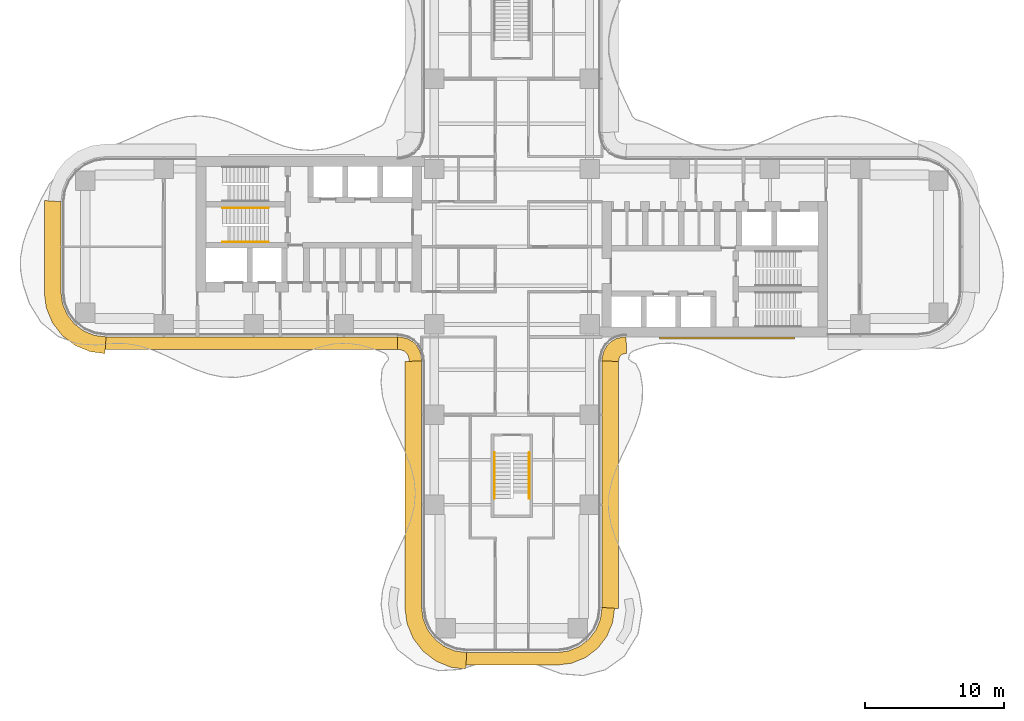
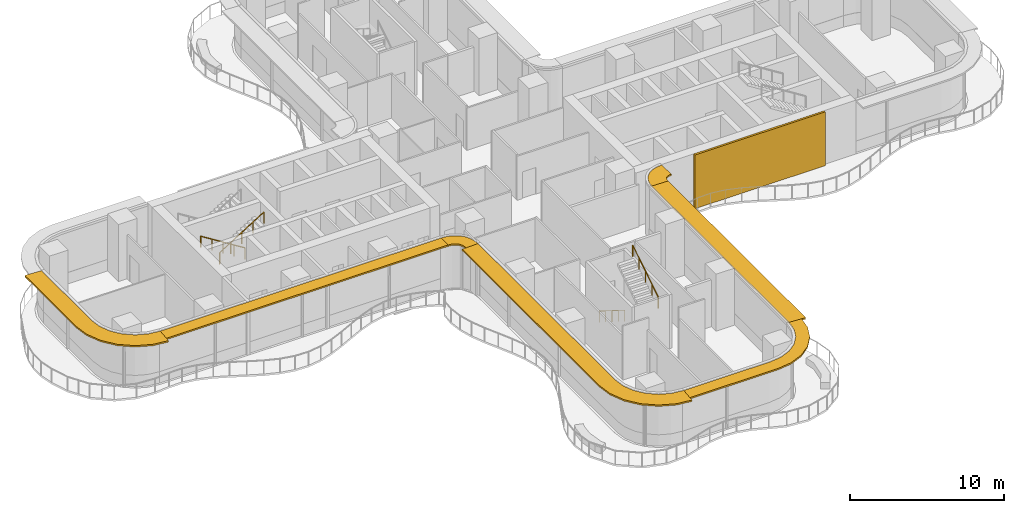
# One storey, part 22 of 23: 7 shading devices, 4 railings, 1 covering.
"""IFC4 building model written with IfcOpenShell, lengths in metres."""

from ifc_helpers import new_model, si_unit, direction, frame, origin, origin_2d, place, context, subcontext, project, spatial, polyline, circle, outline, extrude, source, transform, mapped, material, layer, layer_set, type_object, element, save


model = new_model("IFC4")

# Units and contexts
model_context = context("Model", 3, precision=1e-05, world=origin(), true_north=direction((0.0, 1.0)))
body_context = subcontext(model_context, "Body", "Model", "MODEL_VIEW")
ifc_project = project(units=[si_unit("LENGTHUNIT", "METRE"), si_unit("AREAUNIT", "SQUARE_METRE"), si_unit("VOLUMEUNIT", "CUBIC_METRE"), si_unit("PLANEANGLEUNIT", "RADIAN"), si_unit("MASSUNIT", "GRAM", prefix="KILO")], contexts=[model_context])

# Site, building, storey
site_placement = place(None, origin())
site = spatial("IfcSite", under=ifc_project, at=site_placement, CompositionType="ELEMENT")
building_placement = place(site_placement, origin())
building = spatial("IfcBuilding", under=site, at=building_placement, Name="Trellis Farm Tower", CompositionType="ELEMENT")
storey_placement = place(building_placement, frame((0.0, 0.0, 83.5)))
storey = spatial("IfcBuildingStorey", under=building, at=storey_placement, Name="L17", CompositionType="ELEMENT", Elevation=83.5)

# Railings
ifc_material_1 = material(Name="Stainless steel", Category="steel")
railing_type = type_object("IfcRailingType", Name="STAIR HANDRAIL 900", PredefinedType="HANDRAIL", material=ifc_material_1)
shared_shape_1 = source(origin(), body_context, "Body", "SweptSolid", [
    extrude(circle(Radius=0.02392578125, at=origin_2d()), frame((0.0, 0.0, 0.8759765625), z_axis=(0.0, 0.846319618018, 0.532675421018), x_axis=(-1.0, 0.0, 0.0)), (0.0, 0.0, 1.0), 3.89892578125),
    extrude(circle(Radius=0.02099609375, at=origin_2d()), origin(), (0.0, 0.0, 1.0), 0.851806640625),
    extrude(circle(Radius=0.02099609375, at=origin_2d()), frame((0.0, 0.824951171875, 0.519287109375)), (0.0, 0.0, 1.0), 0.851806640625),
    extrude(circle(Radius=0.02099609375, at=origin_2d()), frame((0.0, 1.64990234375, 1.03857421875)), (0.0, 0.0, 1.0), 0.851806640625),
    extrude(circle(Radius=0.02099609375, at=origin_2d()), frame((0.0, 2.474853515625, 1.5576171875)), (0.0, 0.0, 1.0), 0.851806640625),
    extrude(circle(Radius=0.02099609375, at=origin_2d()), frame((0.0, 3.2998046875, 2.076904296875)), (0.0, 0.0, 1.0), 0.851806640625),
])
railing_1_placement = place(storey_placement, frame((1.25, -18.14990234375, 2.423095703125)))
element("IfcRailing", 1, at=railing_1_placement, inside=storey, type_object=railing_type, Name="Stair handrail", PredefinedType="HANDRAIL", context=body_context, shape_type="MappedRepresentation", body=[
    mapped(shared_shape_1, transform((0.0, 0.0, 0.0))),
])
shared_shape_2 = source(origin(), body_context, "Body", "SweptSolid", [
    extrude(circle(Radius=0.02392578125, at=origin_2d()), frame((0.0, 0.0, 0.8759765625), z_axis=(0.0, -0.846319618018, 0.532675421018), x_axis=(1.0, 0.0, 0.0)), (0.0, 0.0, 1.0), 3.89892578125),
    extrude(circle(Radius=0.02099609375, at=origin_2d()), origin(), (0.0, 0.0, 1.0), 0.851806640625),
    extrude(circle(Radius=0.02099609375, at=origin_2d()), frame((0.0, -0.824951171875, 0.519287109375)), (0.0, 0.0, 1.0), 0.851806640625),
    extrude(circle(Radius=0.02099609375, at=origin_2d()), frame((0.0, -1.64990234375, 1.03857421875)), (0.0, 0.0, 1.0), 0.851806640625),
    extrude(circle(Radius=0.02099609375, at=origin_2d()), frame((0.0, -2.474853515625, 1.5576171875)), (0.0, 0.0, 1.0), 0.851806640625),
    extrude(circle(Radius=0.02099609375, at=origin_2d()), frame((0.0, -3.2998046875, 2.076904296875)), (0.0, 0.0, 1.0), 0.851806640625),
])
railing_2_placement = place(storey_placement, frame((-1.25, -14.85009765625, 0.173095703125)))
element("IfcRailing", 2, at=railing_2_placement, inside=storey, type_object=railing_type, Name="Stair handrail", PredefinedType="HANDRAIL", context=body_context, shape_type="MappedRepresentation", body=[
    mapped(shared_shape_2, transform((0.0, 0.0, 0.0))),
])
shared_shape_3 = source(origin(), body_context, "Body", "SweptSolid", [
    extrude(circle(Radius=0.02392578125, at=origin_2d()), frame((0.0, 0.0, 0.8759765625), z_axis=(0.846337383501, 0.0, 0.532647194011), x_axis=(0.0, 1.0, 0.0)), (0.0, 0.0, 1.0), 3.899169921875),
    extrude(circle(Radius=0.02099609375, at=origin_2d()), origin(), (0.0, 0.0, 1.0), 0.851806640625),
    extrude(circle(Radius=0.02099609375, at=origin_2d()), frame((0.824951171875, 0.0, 0.519287109375)), (0.0, 0.0, 1.0), 0.851806640625),
    extrude(circle(Radius=0.02099609375, at=origin_2d()), frame((1.64990234375, 0.0, 1.03857421875)), (0.0, 0.0, 1.0), 0.851806640625),
    extrude(circle(Radius=0.02099609375, at=origin_2d()), frame((2.47509765625, 0.0, 1.5576171875)), (0.0, 0.0, 1.0), 0.851806640625),
    extrude(circle(Radius=0.02099609375, at=origin_2d()), frame((3.300048828125, 0.0, 2.076904296875)), (0.0, 0.0, 1.0), 0.851806640625),
])
railing_3_placement = place(storey_placement, frame((-20.85009765625, 0.35009765625, 2.423095703125)))
element("IfcRailing", 3, at=railing_3_placement, inside=storey, type_object=railing_type, Name="Stair handrail", PredefinedType="HANDRAIL", context=body_context, shape_type="MappedRepresentation", body=[
    mapped(shared_shape_3, transform((0.0, 0.0, 0.0))),
])
shared_shape_4 = source(origin(), body_context, "Body", "SweptSolid", [
    extrude(circle(Radius=0.02392578125, at=origin_2d()), frame((0.0, 0.0, 0.8759765625), z_axis=(-0.846337383501, 0.0, 0.532647194011), x_axis=(0.0, -1.0, 0.0)), (0.0, 0.0, 1.0), 3.899169921875),
    extrude(circle(Radius=0.02099609375, at=origin_2d()), origin(), (0.0, 0.0, 1.0), 0.851806640625),
    extrude(circle(Radius=0.02099609375, at=origin_2d()), frame((-0.824951171875, 0.0, 0.519287109375)), (0.0, 0.0, 1.0), 0.851806640625),
    extrude(circle(Radius=0.02099609375, at=origin_2d()), frame((-1.64990234375, 0.0, 1.03857421875)), (0.0, 0.0, 1.0), 0.851806640625),
    extrude(circle(Radius=0.02099609375, at=origin_2d()), frame((-2.47509765625, 0.0, 1.5576171875)), (0.0, 0.0, 1.0), 0.851806640625),
    extrude(circle(Radius=0.02099609375, at=origin_2d()), frame((-3.300048828125, 0.0, 2.076904296875)), (0.0, 0.0, 1.0), 0.851806640625),
])
railing_4_placement = place(storey_placement, frame((-17.550048828125, 2.800048828125, 0.173095703125)))
element("IfcRailing", 4, at=railing_4_placement, inside=storey, type_object=railing_type, Name="Stair handrail", PredefinedType="HANDRAIL", context=body_context, shape_type="MappedRepresentation", body=[
    mapped(shared_shape_4, transform((0.0, 0.0, 0.0))),
])

# Shading devices
ifc_material_2 = material(Name="Aluminium extrusion 6063-T6", Category="aluminium")
ifc_layer_1 = layer(ifc_material_2, 0.1201171875)
ifc_layer_set_1 = layer_set([ifc_layer_1], Name="SUNSHADE BLADE 900")
shading_device_type_1 = type_object("IfcShadingDeviceType", Name="SUNSHADE BLADE 900", PredefinedType="USERDEFINED", material=ifc_layer_set_1)
shared_shape_5 = source(origin(), body_context, "Body", "SweptSolid", [
    extrude(outline(polyline([(-29.30908203125, -7.39990234375), (-8.2607421875, -7.39990234375), (-8.2314453125, -6.5), (-29.25, -6.5), (-29.30908203125, -7.39990234375)])), origin(), (0.0, 0.0, 1.0), 0.119873046875),
])
placement = place(storey_placement, frame((0.0, 0.0, 4.090087890625)))
element("IfcShadingDevice", 5, at=placement, inside=storey, type_object=shading_device_type_1, Name="SD1 001", ObjectType="SUNSHADE", PredefinedType="USERDEFINED", context=body_context, shape_type="MappedRepresentation", body=[
    mapped(shared_shape_5, transform((0.0, 0.0, 0.0))),
])
shared_shape_6 = source(origin(), body_context, "Body", "SweptSolid", [
    extrude(outline(polyline([(-8.2607421875, -7.39990234375), (-8.107666015625, -7.409912109375), (-8.091552734375, -7.412109375), (-7.85595703125, -7.475341796875), (-7.697021484375, -7.567138671875), (-7.567138671875, -7.697021484375), (-7.475341796875, -7.85595703125), (-7.412109375, -8.091552734375), (-7.409912109375, -8.107666015625), (-7.39990234375, -8.2607421875), (-6.5, -8.2314453125), (-6.513916015625, -8.01953125), (-6.527587890625, -7.91552734375), (-6.63671875, -7.508544921875), (-6.846923828125, -7.144287109375), (-7.144287109375, -6.846923828125), (-7.508544921875, -6.63671875), (-7.91552734375, -6.527587890625), (-8.01953125, -6.513916015625), (-8.2314453125, -6.5), (-8.2607421875, -7.39990234375)])), origin(), (0.0, 0.0, 1.0), 0.119873046875),
])
element("IfcShadingDevice", 6, at=placement, inside=storey, type_object=shading_device_type_1, Name="SD1 002", ObjectType="SUNSHADE", PredefinedType="USERDEFINED", context=body_context, shape_type="MappedRepresentation", body=[
    mapped(shared_shape_6, transform((0.0, 0.0, 0.0))),
])
ifc_layer_2 = layer(ifc_material_2, 0.1201171875)
ifc_layer_set_2 = layer_set([ifc_layer_2], Name="SUNSHADE BLADE 1200")
shading_device_type_2 = type_object("IfcShadingDeviceType", Name="SUNSHADE BLADE 1200", PredefinedType="USERDEFINED", material=ifc_layer_set_2)
shared_shape_7 = source(origin(), body_context, "Body", "SweptSolid", [
    extrude(outline(polyline([(-7.699951171875, -8.270751953125), (-7.699951171875, -26.07861328125), (-7.558349609375, -27.154541015625), (-7.11279296875, -28.230224609375), (-6.404052734375, -29.154052734375), (-5.480224609375, -29.86279296875), (-4.404541015625, -30.308349609375), (-3.32861328125, -30.449951171875), (-3.25, -29.25), (-4.091064453125, -29.13916015625), (-4.875, -28.814697265625), (-5.548095703125, -28.298095703125), (-6.064697265625, -27.625), (-6.38916015625, -26.841064453125), (-6.5, -26.0), (-6.5, -8.2314453125), (-7.699951171875, -8.270751953125)])), origin(), (0.0, 0.0, 1.0), 0.119873046875),
])
element("IfcShadingDevice", 7, at=placement, inside=storey, type_object=shading_device_type_2, Name="SD2 003", ObjectType="SUNSHADE", PredefinedType="USERDEFINED", context=body_context, shape_type="MappedRepresentation", body=[
    mapped(shared_shape_7, transform((0.0, 0.0, 0.0))),
])
shared_shape_8 = source(origin(), body_context, "Body", "SweptSolid", [
    extrude(outline(polyline([(-3.30908203125, -30.14990234375), (3.30908203125, -30.14990234375), (4.326171875, -30.01611328125), (5.328857421875, -29.600830078125), (6.18994140625, -28.93994140625), (6.850830078125, -28.078857421875), (7.26611328125, -27.076171875), (7.39990234375, -26.05908203125), (6.5, -26.0), (6.38916015625, -26.841064453125), (6.064697265625, -27.625), (5.548095703125, -28.298095703125), (4.875, -28.814697265625), (4.091064453125, -29.13916015625), (3.25, -29.25), (-3.25, -29.25), (-3.30908203125, -30.14990234375)])), origin(), (0.0, 0.0, 1.0), 0.119873046875),
])
element("IfcShadingDevice", 8, at=placement, inside=storey, type_object=shading_device_type_1, Name="SD1 004", ObjectType="SUNSHADE", PredefinedType="USERDEFINED", context=body_context, shape_type="MappedRepresentation", body=[
    mapped(shared_shape_8, transform((0.0, 0.0, 0.0))),
])
shared_shape_9 = source(origin(), body_context, "Body", "SweptSolid", [
    extrude(outline(polyline([(7.699951171875, -26.07861328125), (7.699951171875, -8.270751953125), (6.5, -8.2314453125), (6.5, -26.0), (7.699951171875, -26.07861328125)])), origin(), (0.0, 0.0, 1.0), 0.119873046875),
])
element("IfcShadingDevice", 9, at=placement, inside=storey, type_object=shading_device_type_2, Name="SD2 005", ObjectType="SUNSHADE", PredefinedType="USERDEFINED", context=body_context, shape_type="MappedRepresentation", body=[
    mapped(shared_shape_9, transform((0.0, 0.0, 0.0))),
])
shared_shape_10 = source(origin(), body_context, "Body", "SweptSolid", [
    extrude(outline(polyline([(7.699951171875, -8.270751953125), (7.708740234375, -8.13720703125), (7.70703125, -8.150146484375), (7.7548828125, -7.9716796875), (7.80712890625, -7.881103515625), (7.881103515625, -7.80712890625), (7.9716796875, -7.7548828125), (8.150146484375, -7.70703125), (8.13720703125, -7.708740234375), (8.270751953125, -7.699951171875), (8.2314453125, -6.5), (8.01953125, -6.513916015625), (7.91552734375, -6.527587890625), (7.508544921875, -6.63671875), (7.144287109375, -6.846923828125), (6.846923828125, -7.144287109375), (6.63671875, -7.508544921875), (6.527587890625, -7.91552734375), (6.513916015625, -8.01953125), (6.5, -8.2314453125), (7.699951171875, -8.270751953125)])), origin(), (0.0, 0.0, 1.0), 0.119873046875),
])
element("IfcShadingDevice", 10, at=placement, inside=storey, type_object=shading_device_type_2, Name="SD2 006", ObjectType="SUNSHADE", PredefinedType="USERDEFINED", context=body_context, shape_type="MappedRepresentation", body=[
    mapped(shared_shape_10, transform((0.0, 0.0, 0.0))),
])
shared_shape_11 = source(origin(), body_context, "Body", "SweptSolid", [
    extrude(outline(polyline([(-33.699951171875, 3.32861328125), (-33.699951171875, -3.32861328125), (-33.558349609375, -4.404541015625), (-33.11279296875, -5.480224609375), (-32.404052734375, -6.404052734375), (-31.480224609375, -7.11279296875), (-30.404541015625, -7.558349609375), (-29.32861328125, -7.699951171875), (-29.25, -6.5), (-30.091064453125, -6.38916015625), (-30.875, -6.064697265625), (-31.548095703125, -5.548095703125), (-32.064697265625, -4.875), (-32.38916015625, -4.091064453125), (-32.5, -3.25), (-32.5, 3.25), (-33.699951171875, 3.32861328125)])), origin(), (0.0, 0.0, 1.0), 0.119873046875),
])
element("IfcShadingDevice", 11, at=placement, inside=storey, type_object=shading_device_type_2, Name="SD2 016", ObjectType="SUNSHADE", PredefinedType="USERDEFINED", context=body_context, shape_type="MappedRepresentation", body=[
    mapped(shared_shape_11, transform((0.0, 0.0, 0.0))),
])

# Covering
ifc_material_3 = material(Name="Perforated precast screen (cobogo)", Category="concrete")
ifc_layer_3 = layer(ifc_material_3, 0.14990234375)
ifc_layer_set_3 = layer_set([ifc_layer_3], Name="COBOGO SCREEN PANEL")
covering_type = type_object("IfcCoveringType", Name="COBOGO SCREEN PANEL", PredefinedType="USERDEFINED", material=ifc_layer_set_3)
shared_shape_12 = source(origin(), body_context, "Body", "SweptSolid", [
    extrude(outline(polyline([(10.630615234375, -6.64990234375), (20.380615234375, -6.64990234375), (20.380615234375, -6.5), (10.630615234375, -6.5), (10.630615234375, -6.64990234375)])), origin(), (0.0, 0.0, 1.0), 4.25),
])
covering_placement = place(storey_placement, origin())
element("IfcCovering", 12, at=covering_placement, inside=storey, type_object=covering_type, Name="SC1 01", ObjectType="SCREEN", PredefinedType="USERDEFINED", context=body_context, shape_type="MappedRepresentation", body=[
    mapped(shared_shape_12, transform((0.0, 0.0, 0.0))),
])

save(model, "model.ifc")
